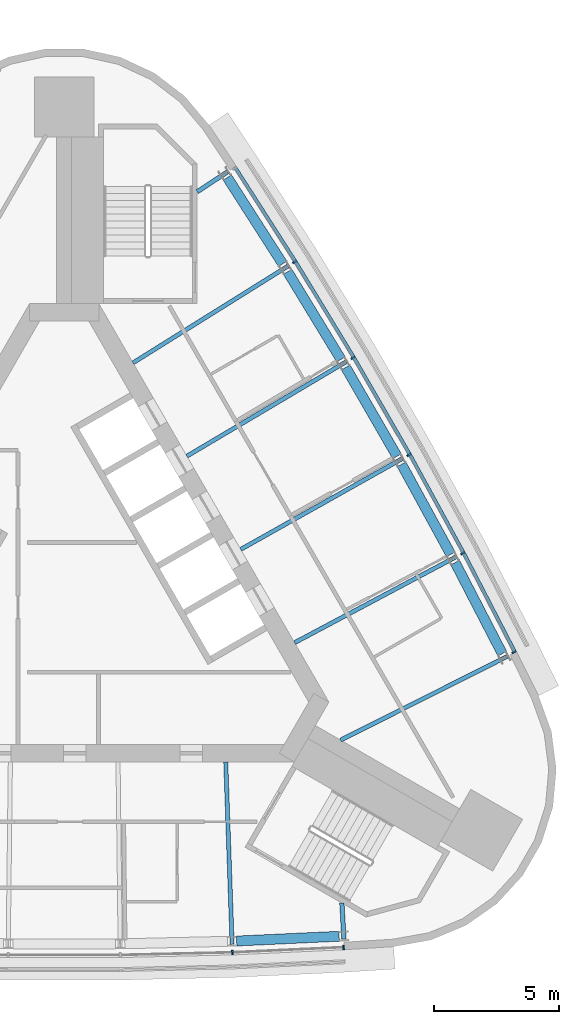
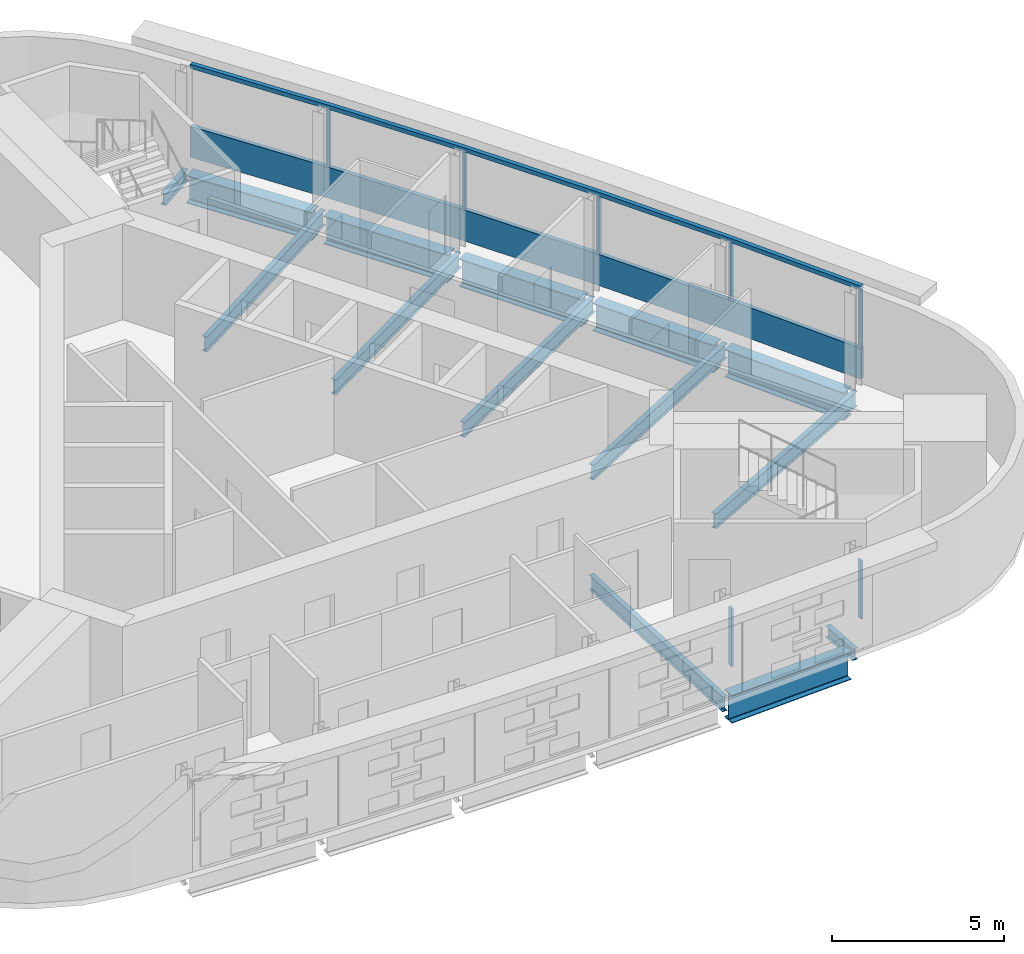
# One storey, part 6 of 13: 14 beams, 9 members, 2 elements without a shape of their own.
"""IFC4 building model written with IfcOpenShell, lengths in metres."""

from ifc_helpers import new_model, si_unit, direction, frame, origin, origin_2d, place, context, subcontext, project, spatial, polyline, rectangle, i_section, outline, extrude, material, material_profile, profile_set, type_object, element, aggregate, save


model = new_model("IFC4")

# Units and contexts
model_context = context("Model", 3, precision=1e-05, world=origin(), true_north=direction((0.0, 1.0)))
body_context = subcontext(model_context, "Body", "Model", "MODEL_VIEW")
ifc_project = project(units=[si_unit("LENGTHUNIT", "METRE"), si_unit("AREAUNIT", "SQUARE_METRE"), si_unit("VOLUMEUNIT", "CUBIC_METRE"), si_unit("PLANEANGLEUNIT", "RADIAN"), si_unit("MASSUNIT", "GRAM", prefix="KILO")], contexts=[model_context])

# Site, building, storey
site_placement = place(None, origin())
site = spatial("IfcSite", under=ifc_project, at=site_placement, CompositionType="ELEMENT")
building_placement = place(site_placement, origin())
building = spatial("IfcBuilding", under=site, at=building_placement, Name="Noor Cloister Tower", CompositionType="ELEMENT")
storey_placement = place(building_placement, frame((0.0, 0.0, 263.39990234375)))
storey = spatial("IfcBuildingStorey", under=building, at=storey_placement, Name="L67", CompositionType="ELEMENT", Elevation=263.39990234375)

# Beams
ifc_material_1 = material(Name="Steel ASTM A992 Gr 50", Category="steel")
ifc_material_profile_1 = material_profile(ifc_material_1, i_section(OverallWidth=0.40087890625, OverallDepth=0.98291015625, WebThickness=0.0166015625, FlangeThickness=0.027099609375, FilletRadius=0.030029296875, at=origin_2d()), Name="W1000x296")
ifc_profile_set_1 = profile_set([ifc_material_profile_1], Name="Steel ASTM A992 Gr 50")
beam_type_1 = type_object("IfcBeamType", Name="Belt chord girder W1000x296", PredefinedType="BEAM", material=ifc_profile_set_1)
beam_1_placement = place(storey_placement, frame((6.914794921875, -14.11083984375, -0.69140625), z_axis=(0.998923795857, 0.046381570381, 0.0), x_axis=(-0.046381570381, 0.998923795857, 0.0)))
element("IfcBeam", 1, at=beam_1_placement, inside=storey, type_object=beam_type_1, Name="Spandrel beam S 05 L67", PredefinedType="BEAM", context=body_context, shape_type="SweptSolid", body=[
    extrude(i_section(OverallWidth=0.40087890625, OverallDepth=0.98291015625, WebThickness=0.0166015625, FlangeThickness=0.027099609375, FilletRadius=0.030029296875, at=origin_2d()), origin(), (0.0, 0.0, 1.0), 4.1162109375),
])
beam_2_placement = place(storey_placement, frame((17.568359375, -2.58935546875, -0.69140625), z_axis=(-0.459295448048, 0.888283564749, 0.0), x_axis=(-0.888283564749, -0.459295448048, 0.0)))
element("IfcBeam", 2, at=beam_2_placement, inside=storey, type_object=beam_type_1, Name="Spandrel beam NE 01 L67", PredefinedType="BEAM", context=body_context, shape_type="SweptSolid", body=[
    extrude(i_section(OverallWidth=0.40087890625, OverallDepth=0.98291015625, WebThickness=0.0166015625, FlangeThickness=0.027099609375, FilletRadius=0.030029296875, at=origin_2d()), origin(), (0.0, 0.0, 1.0), 4.116455078125),
])
for number, where, z_axis, x_axis, name in (
    (3, (15.503662109375, 1.39453125, -0.69140625), (-0.479770251557, 0.87739415642, 0.0), (-0.87739415642, -0.479770251557, 0.0), "Spandrel beam NE 02 L67"),
    (4, (13.346923828125, 5.329345703125, -0.69140625), (-0.500004836318, 0.866022611517, 0.0), (-0.866022611517, -0.500004836318, 0.0), "Spandrel beam NE 03 L67"),
    (5, (11.099609375, 9.213134765625, -0.69140625), (-0.51992813058, 0.85421000874, 0.0), (-0.85421000874, -0.51992813058, 0.0), "Spandrel beam NE 04 L67"),
    (6, (8.762939453125, 13.0439453125, -0.69140625), (-0.539635932385, 0.841898485851, 0.0), (-0.841898485851, -0.539635932385, 0.0), "Spandrel beam NE 05 L67"),
):
    element("IfcBeam", number, at=place(storey_placement, frame(where, z_axis=z_axis, x_axis=x_axis)), inside=storey, type_object=beam_type_1, Name=name, PredefinedType="BEAM", context=body_context, shape_type="SweptSolid", body=[
        extrude(i_section(OverallWidth=0.40087890625, OverallDepth=0.98291015625, WebThickness=0.0166015625, FlangeThickness=0.027099609375, FilletRadius=0.030029296875, at=origin_2d()), origin(), (0.0, 0.0, 1.0), 4.1162109375),
    ])

# Curtain wall, member
ifc_material_2 = material(Name="Aluminium 6063-T6 anodised", Category="aluminium")
curtain_wall_type = type_object("IfcCurtainWallType", Name="Ribbon curtain wall, upper tower CW5", PredefinedType="NOTDEFINED", material=ifc_material_2)
curtain_wall_1_placement = place(storey_placement, origin())
curtain_wall_1 = element("IfcCurtainWall", 7, at=curtain_wall_1_placement, inside=storey, type_object=curtain_wall_type, Name="CW5 L67 NE run 4", PredefinedType="NOTDEFINED")
ifc_material_3 = material(Name="Aluminium 6063-T6 anodised", Category="aluminium")
member_type_1 = type_object("IfcMemberType", Name="Head transom CW5 150", PredefinedType="USERDEFINED", material=ifc_material_3)
member_1_placement = place(storey_placement, frame((0.0, 0.0, 3.150146484375)))
member_1 = element("IfcMember", 8, at=member_1_placement, type_object=member_type_1, Name="CW5 head transom", ObjectType="TRANSOM", PredefinedType="USERDEFINED", context=body_context, shape_type="SweptSolid", body=[
    extrude(outline(polyline([(18.14501953125, -2.507080078125), (16.078125, 1.489990234375), (13.919189453125, 5.438232421875), (11.669189453125, 9.335205078125), (9.32958984375, 13.178955078125), (6.9013671875, 16.967529296875), (6.783447265625, 16.89208984375), (9.210693359375, 13.10498046875), (11.548828125, 9.263916015625), (13.797119140625, 5.36962890625), (15.95458984375, 1.42431640625), (18.0205078125, -2.5712890625), (18.14501953125, -2.507080078125)])), origin(), (0.0, 0.0, 1.0), 0.14990234375),
])

# Curtain wall, members
curtain_wall_2_placement = place(storey_placement, origin())
curtain_wall_2 = element("IfcCurtainWall", 9, at=curtain_wall_2_placement, inside=storey, type_object=curtain_wall_type, Name="CW5 L67 S run 3", PredefinedType="NOTDEFINED")
ifc_material_4 = material(Name="Aluminium 6063-T6 anodised", Category="aluminium")
ifc_material_profile_2 = material_profile(ifc_material_4, rectangle(XDim=0.179931640625, YDim=0.070068359375, at=origin_2d()), Name="180 x 70 mullion")
ifc_profile_set_2 = profile_set([ifc_material_profile_2], Name="Aluminium 6063-T6 anodised")
member_type_2 = type_object("IfcMemberType", Name="Mullion CW5 70 x 180", PredefinedType="MULLION", material=ifc_profile_set_2)
member_2_placement = place(storey_placement, frame((6.7451171875, -14.569091796875, 1.10009765625), z_axis=(0.0, 0.0, 1.0), x_axis=(-0.034781531747, 0.999394939476, 0.0)))
member_2 = element("IfcMember", 10, at=member_2_placement, type_object=member_type_2, Name="CW5 mullion 5", PredefinedType="MULLION", context=body_context, shape_type="SweptSolid", body=[
    extrude(rectangle(XDim=0.179931640625, YDim=0.070068359375, at=origin_2d()), origin(), (0.0, 0.0, 1.0), 2.050048828125),
])
member_3_placement = place(storey_placement, frame((11.2041015625, -14.3623046875, 1.10009765625), z_axis=(0.0, 0.0, 1.0), x_axis=(-0.046368111516, 0.998924420682, 0.0)))
member_3 = element("IfcMember", 11, at=member_3_placement, type_object=member_type_2, Name="CW5 mullion 6", PredefinedType="MULLION", context=body_context, shape_type="SweptSolid", body=[
    extrude(rectangle(XDim=0.179931640625, YDim=0.070068359375, at=origin_2d()), origin(), (0.0, 0.0, 1.0), 2.050048828125),
])
aggregate(curtain_wall_2, [member_2, member_3])

# Member
member_4_placement = place(storey_placement, frame((18.0400390625, -2.52197265625, 1.10009765625), z_axis=(0.0, 0.0, 1.0), x_axis=(-0.888277980529, -0.459306247842, 0.0)))
member_4 = element("IfcMember", 12, at=member_4_placement, type_object=member_type_2, Name="CW5 mullion 1", PredefinedType="MULLION", context=body_context, shape_type="SweptSolid", body=[
    extrude(rectangle(XDim=0.179931640625, YDim=0.070068359375, at=origin_2d()), origin(), (0.0, 0.0, 1.0), 2.050048828125),
])

member_5_placement = place(storey_placement, frame((15.98974609375, 1.443115234375, 1.10009765625), z_axis=(0.0, 0.0, 1.0), x_axis=(-0.882892171873, -0.469575779662, 0.0)))
member_5 = element("IfcMember", 13, at=member_5_placement, type_object=member_type_2, Name="CW5 mullion 2", PredefinedType="MULLION", context=body_context, shape_type="SweptSolid", body=[
    extrude(rectangle(XDim=0.179931640625, YDim=0.070068359375, at=origin_2d()), origin(), (0.0, 0.0, 1.0), 2.050048828125),
])

member_6_placement = place(storey_placement, frame((13.83203125, 5.38916015625, 1.10009765625), z_axis=(0.0, 0.0, 1.0), x_axis=(-0.871765135197, -0.489924023758, 0.0)))
member_6 = element("IfcMember", 14, at=member_6_placement, type_object=member_type_2, Name="CW5 mullion 3", PredefinedType="MULLION", context=body_context, shape_type="SweptSolid", body=[
    extrude(rectangle(XDim=0.179931640625, YDim=0.070068359375, at=origin_2d()), origin(), (0.0, 0.0, 1.0), 2.050048828125),
])

member_7_placement = place(storey_placement, frame((11.583251953125, 9.2841796875, 1.10009765625), z_axis=(0.0, 0.0, 1.0), x_axis=(-0.860169218097, -0.510008741335, 0.0)))
member_7 = element("IfcMember", 15, at=member_7_placement, type_object=member_type_2, Name="CW5 mullion 4", PredefinedType="MULLION", context=body_context, shape_type="SweptSolid", body=[
    extrude(rectangle(XDim=0.179931640625, YDim=0.070068359375, at=origin_2d()), origin(), (0.0, 0.0, 1.0), 2.050048828125),
])

member_8_placement = place(storey_placement, frame((9.24462890625, 13.1259765625, 1.10009765625), z_axis=(0.0, 0.0, 1.0), x_axis=(-0.848110640126, -0.529819159813, 0.0)))
member_8 = element("IfcMember", 16, at=member_8_placement, type_object=member_type_2, Name="CW5 mullion 5", PredefinedType="MULLION", context=body_context, shape_type="SweptSolid", body=[
    extrude(rectangle(XDim=0.179931640625, YDim=0.070068359375, at=origin_2d()), origin(), (0.0, 0.0, 1.0), 2.050048828125),
])

# Beams
ifc_material_5 = material(Name="Steel ASTM A992 Gr 50", Category="steel")
ifc_material_profile_3 = material_profile(ifc_material_5, i_section(OverallWidth=0.177978515625, OverallDepth=0.406005859375, WebThickness=0.0078125, FlangeThickness=0.0126953125, FilletRadius=0.01025390625, at=origin_2d()), Name="W410x60")
ifc_profile_set_3 = profile_set([ifc_material_profile_3], Name="Steel ASTM A992 Gr 50")
beam_type_2 = type_object("IfcBeamType", Name="Radial beam W410x60", PredefinedType="BEAM", material=ifc_profile_set_3)
beam_3_placement = place(storey_placement, frame((11.21875, -14.03076171875, -0.40283203125), z_axis=(-0.058017998858, 0.998315537197, 0.0), x_axis=(-0.998315537197, -0.058017998858, 0.0)))
element("IfcBeam", 17, at=beam_3_placement, inside=storey, type_object=beam_type_2, Name="Radial beam S 06 L67", PredefinedType="BEAM", context=body_context, shape_type="SweptSolid", body=[
    extrude(i_section(OverallWidth=0.177978515625, OverallDepth=0.406005859375, WebThickness=0.0078125, FlangeThickness=0.0126953125, FilletRadius=0.01025390625, at=origin_2d()), origin(), (0.0, 0.0, 1.0), 1.443359375),
])
beam_4_placement = place(storey_placement, frame((6.54150390625, 16.73095703125, -0.40283203125), z_axis=(-0.835598976558, -0.54933992243, 0.0), x_axis=(0.54933992243, -0.835598976558, 0.0)))
element("IfcBeam", 18, at=beam_4_placement, inside=storey, type_object=beam_type_2, Name="Radial beam NE 06 L67", PredefinedType="BEAM", context=body_context, shape_type="SweptSolid", body=[
    extrude(i_section(OverallWidth=0.177978515625, OverallDepth=0.406005859375, WebThickness=0.0078125, FlangeThickness=0.0126953125, FilletRadius=0.01025390625, at=origin_2d()), origin(), (0.0, 0.0, 1.0), 1.443115234375),
])
ifc_material_6 = material(Name="Steel ASTM A992 Gr 50", Category="steel")
ifc_material_profile_4 = material_profile(ifc_material_6, i_section(OverallWidth=0.166015625, OverallDepth=0.528076171875, WebThickness=0.009765625, FlangeThickness=0.013671875, FilletRadius=0.0126953125, at=origin_2d()), Name="W530x74")
ifc_profile_set_4 = profile_set([ifc_material_profile_4], Name="Steel ASTM A992 Gr 50")
beam_type_3 = type_object("IfcBeamType", Name="Radial beam W530x74", PredefinedType="BEAM", material=ifc_profile_set_4)
beam_5_placement = place(storey_placement, frame((6.733642578125, -14.23876953125, -0.4638671875), z_axis=(-0.034777240267, 0.999395088821, 0.0), x_axis=(-0.999395088821, -0.034777240267, 0.0)))
element("IfcBeam", 19, at=beam_5_placement, inside=storey, type_object=beam_type_3, Name="Radial beam S 05 L67", PredefinedType="BEAM", context=body_context, shape_type="SweptSolid", body=[
    extrude(i_section(OverallWidth=0.166015625, OverallDepth=0.528076171875, WebThickness=0.009765625, FlangeThickness=0.013671875, FilletRadius=0.0126953125, at=origin_2d()), origin(), (0.0, 0.0, 1.0), 7.31494140625),
])
beam_6_placement = place(storey_placement, frame((17.76025390625, -2.700439453125, -0.4638671875), z_axis=(-0.893549510388, -0.448964667302, 0.0), x_axis=(0.448964667302, -0.893549510388, 0.0)))
element("IfcBeam", 20, at=beam_6_placement, inside=storey, type_object=beam_type_3, Name="Radial beam NE 01 L67", PredefinedType="BEAM", context=body_context, shape_type="SweptSolid", body=[
    extrude(i_section(OverallWidth=0.166015625, OverallDepth=0.528076171875, WebThickness=0.009765625, FlangeThickness=0.013671875, FilletRadius=0.0126953125, at=origin_2d()), origin(), (0.0, 0.0, 1.0), 7.469482421875),
])
beam_7_placement = place(storey_placement, frame((15.697998046875, 1.287841796875, -0.4638671875), z_axis=(-0.882903889785, -0.469553747085, 0.0), x_axis=(0.469553747085, -0.882903889785, 0.0)))
element("IfcBeam", 21, at=beam_7_placement, inside=storey, type_object=beam_type_3, Name="Radial beam NE 02 L67", PredefinedType="BEAM", context=body_context, shape_type="SweptSolid", body=[
    extrude(i_section(OverallWidth=0.166015625, OverallDepth=0.528076171875, WebThickness=0.009765625, FlangeThickness=0.013671875, FilletRadius=0.0126953125, at=origin_2d()), origin(), (0.0, 0.0, 1.0), 7.31494140625),
])
for number, where, z_axis, x_axis, name in (
    (22, (13.5439453125, 5.227294921875, -0.4638671875), (-0.871770669318, -0.489914176277, 0.0), (0.489914176277, -0.871770669318, 0.0), "Radial beam NE 03 L67"),
    (23, (11.298828125, 9.11572265625, -0.4638671875), (-0.860162619342, -0.510019870482, 0.0), (0.510019870482, -0.860162619342, 0.0), "Radial beam NE 04 L67"),
):
    element("IfcBeam", number, at=place(storey_placement, frame(where, z_axis=z_axis, x_axis=x_axis)), inside=storey, type_object=beam_type_3, Name=name, PredefinedType="BEAM", context=body_context, shape_type="SweptSolid", body=[
        extrude(i_section(OverallWidth=0.166015625, OverallDepth=0.528076171875, WebThickness=0.009765625, FlangeThickness=0.013671875, FilletRadius=0.0126953125, at=origin_2d()), origin(), (0.0, 0.0, 1.0), 7.415283203125),
    ])
beam_8_placement = place(storey_placement, frame((8.96435546875, 12.950927734375, -0.4638671875), z_axis=(-0.848101414082, -0.529833928163, 0.0), x_axis=(0.529833928163, -0.848101414082, 0.0)))
element("IfcBeam", 24, at=beam_8_placement, inside=storey, type_object=beam_type_3, Name="Radial beam NE 05 L67", PredefinedType="BEAM", context=body_context, shape_type="SweptSolid", body=[
    extrude(i_section(OverallWidth=0.166015625, OverallDepth=0.528076171875, WebThickness=0.009765625, FlangeThickness=0.013671875, FilletRadius=0.0126953125, at=origin_2d()), origin(), (0.0, 0.0, 1.0), 7.31494140625),
])

# Member
ifc_material_7 = material(Name="Aluminium 6063-T6 anodised", Category="aluminium")
member_type_3 = type_object("IfcMemberType", Name="Sill transom CW5 1100", PredefinedType="USERDEFINED", material=ifc_material_7)
member_9_placement = place(storey_placement, origin())
member_9 = element("IfcMember", 25, at=member_9_placement, type_object=member_type_3, Name="CW5 sill transom", ObjectType="TRANSOM", PredefinedType="USERDEFINED", context=body_context, shape_type="SweptSolid", body=[
    extrude(outline(polyline([(18.14501953125, -2.507080078125), (16.078125, 1.489990234375), (13.919189453125, 5.438232421875), (11.669189453125, 9.335205078125), (9.32958984375, 13.178955078125), (6.9013671875, 16.967529296875), (6.783447265625, 16.89208984375), (9.210693359375, 13.10498046875), (11.548828125, 9.263916015625), (13.797119140625, 5.36962890625), (15.95458984375, 1.42431640625), (18.0205078125, -2.5712890625), (18.14501953125, -2.507080078125)])), origin(), (0.0, 0.0, 1.0), 1.10009765625),
])

aggregate(curtain_wall_1, [member_4, member_5, member_6, member_7, member_8, member_9, member_1])

save(model, "model.ifc")
